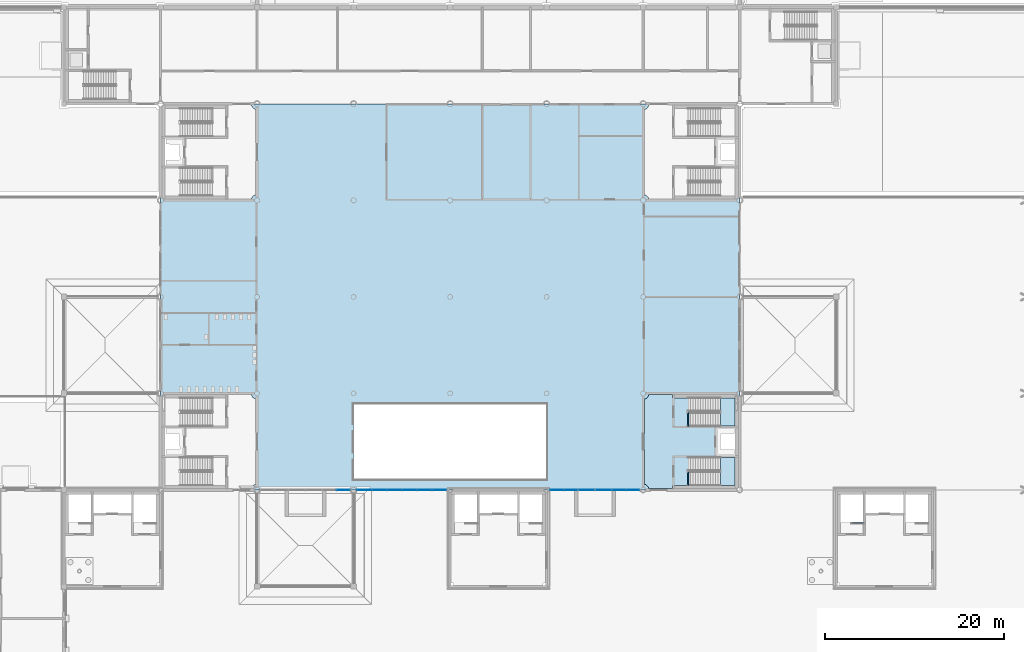
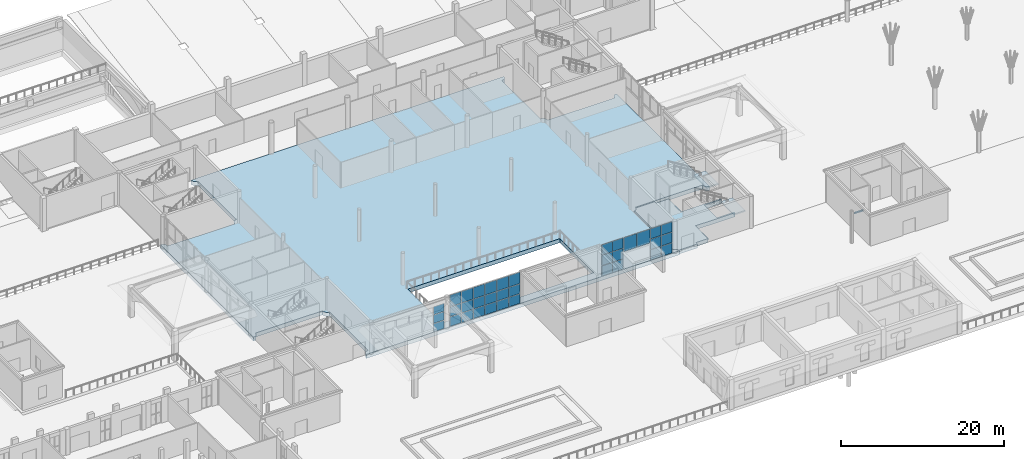
# One storey, part 38 of 91: 35 plates, 7 slabs, 7 elements without a shape of their own.
"""IFC4 building model written with IfcOpenShell, lengths in metres."""

from ifc_helpers import new_model, si_unit, direction, frame, origin, origin_2d, place, context, subcontext, project, spatial, polyline, rectangle, outline, extrude, material, layer, layer_set, type_object, element, aggregate, save


model = new_model("IFC4")

# Units and contexts
model_context = context("Model", 3, precision=1e-05, world=origin(), true_north=direction((0.0, 1.0)))
body_context = subcontext(model_context, "Body", "Model", "MODEL_VIEW")
ifc_project = project(units=[si_unit("LENGTHUNIT", "METRE"), si_unit("AREAUNIT", "SQUARE_METRE"), si_unit("VOLUMEUNIT", "CUBIC_METRE"), si_unit("PLANEANGLEUNIT", "RADIAN"), si_unit("MASSUNIT", "GRAM", prefix="KILO")], contexts=[model_context])

# Site, building, storey
site_placement = place(None, origin())
site = spatial("IfcSite", under=ifc_project, at=site_placement, CompositionType="ELEMENT")
building_placement = place(site_placement, origin())
building = spatial("IfcBuilding", under=site, at=building_placement, Name="Magnolia Steps Interchange", CompositionType="ELEMENT")
storey_placement = place(building_placement, origin())
storey = spatial("IfcBuildingStorey", under=building, at=storey_placement, Name="L00", CompositionType="ELEMENT", Elevation=0.0)

# Slabs
ifc_material_1 = material(Name="Concrete C35", Category="concrete")
ifc_layer_1 = layer(ifc_material_1, 0.199951171875)
ifc_layer_set_1 = layer_set([ifc_layer_1], Name="Core floor nib 200")
slab_type_1 = type_object("IfcSlabType", Name="Core floor nib 200", PredefinedType="FLOOR", material=ifc_layer_set_1)
slab_1_placement = place(storey_placement, frame((0.0, 0.0, -0.199951171875)))
element("IfcSlab", 1, at=slab_1_placement, inside=storey, type_object=slab_type_1, Name="L00 core floor nib HC4", PredefinedType="FLOOR", context=body_context, shape_type="SweptSolid", body=[
    extrude(outline(polyline([(112.179931640625, 51.050048828125), (112.300048828125, 51.050048828125), (112.300048828125, 49.550048828125), (112.179931640625, 49.550048828125), (112.179931640625, 51.050048828125)])), origin(), (0.0, 0.0, 1.0), 0.199951171875),
])
slab_2_placement = place(storey_placement, frame((0.0, 0.0, -0.199951171875)))
element("IfcSlab", 2, at=slab_2_placement, inside=storey, type_object=slab_type_1, Name="L00 core floor nib HC4", PredefinedType="FLOOR", context=body_context, shape_type="SweptSolid", body=[
    extrude(outline(polyline([(112.179931640625, 44.39990234375), (112.300048828125, 44.39990234375), (112.300048828125, 42.89990234375), (112.179931640625, 42.89990234375), (112.179931640625, 44.39990234375)])), origin(), (0.0, 0.0, 1.0), 0.199951171875),
])
slab_3_placement = place(storey_placement, frame((0.0, 0.0, -0.199951171875)))
element("IfcSlab", 3, at=slab_3_placement, inside=storey, type_object=slab_type_1, Name="L00 core floor nib BC3", PredefinedType="FLOOR", context=body_context, shape_type="SweptSolid", body=[
    extrude(outline(polyline([(130.64990234375, 38.679931640625), (130.64990234375, 38.800048828125), (131.85009765625, 38.800048828125), (131.85009765625, 38.679931640625), (130.64990234375, 38.679931640625)])), origin(), (0.0, 0.0, 1.0), 0.199951171875),
])
ifc_material_2 = material(Name="Concrete C35", Category="concrete")
ifc_layer_2 = layer(ifc_material_2, 0.60009765625)
ifc_layer_set_2 = layer_set([ifc_layer_2], Name="Core floor slab 600")
slab_type_2 = type_object("IfcSlabType", Name="Core floor slab 600", PredefinedType="FLOOR", material=ifc_layer_set_2)
slab_4_placement = place(storey_placement, frame((0.0, 0.0, -0.60009765625)))
element("IfcSlab", 4, at=slab_4_placement, inside=storey, type_object=slab_type_2, Name="L00 core floor HC4", PredefinedType="FLOOR", context=body_context, shape_type="SweptSolid", body=[
    extrude(outline(polyline([(107.388671875, 52.577880859375), (107.44873046875, 52.599609375), (107.50634765625, 52.626708984375), (107.56103515625, 52.659423828125), (107.6123046875, 52.697509765625), (107.65966796875, 52.740478515625), (107.702392578125, 52.78759765625), (107.740478515625, 52.8388671875), (107.773193359375, 52.8935546875), (107.800537109375, 52.951416015625), (107.822021484375, 53.01123046875), (107.831787109375, 53.050048828125), (110.5, 53.050048828125), (110.5, 52.699951171875), (112.25, 52.699951171875), (112.25, 51.050048828125), (112.179931640625, 51.050048828125), (112.179931640625, 49.550048828125), (117.85009765625, 49.550048828125), (117.85009765625, 49.35009765625), (115.39990234375, 49.35009765625), (115.39990234375, 46.25), (117.85009765625, 46.25), (117.85009765625, 46.050048828125), (112.25, 46.050048828125), (112.25, 44.39990234375), (112.179931640625, 44.39990234375), (112.179931640625, 42.89990234375), (110.5, 42.89990234375), (110.5, 42.550048828125), (107.831787109375, 42.550048828125), (107.822021484375, 42.588623046875), (107.800537109375, 42.648681640625), (107.773193359375, 42.706298828125), (107.740478515625, 42.760986328125), (107.702392578125, 42.8125), (107.65966796875, 42.859619140625), (107.6123046875, 42.902587890625), (107.56103515625, 42.9404296875), (107.50634765625, 42.97314453125), (107.44873046875, 43.00048828125), (107.388671875, 43.02197265625), (107.35009765625, 43.03173828125), (107.35009765625, 52.568359375), (107.388671875, 52.577880859375)])), origin(), (0.0, 0.0, 1.0), 0.60009765625),
])

# Stair, slab
ifc_material_3 = material(Name="Concrete C40", Category="concrete")
stair_type = type_object("IfcStairType", Name="Exit stair 1500", PredefinedType="HALF_TURN_STAIR", material=ifc_material_3)
stair_1_placement = place(storey_placement, origin())
stair_1 = element("IfcStair", 5, at=stair_1_placement, inside=storey, type_object=stair_type, Name="L00 Stair 7", PredefinedType="HALF_TURN_STAIR")
ifc_material_4 = material(Name="Concrete C40", Category="concrete")
ifc_layer_3 = layer(ifc_material_4, 0.199951171875)
ifc_layer_set_3 = layer_set([ifc_layer_3], Name="Exit stair landing 200")
slab_type_3 = type_object("IfcSlabType", Name="Exit stair landing 200", PredefinedType="LANDING", material=ifc_layer_set_3)
slab_5_placement = place(storey_placement, frame((0.0, 0.0, 2.199951171875)))
slab_5 = element("IfcSlab", 6, at=slab_5_placement, type_object=slab_type_3, Name="Stair 7 landing 1", PredefinedType="LANDING", context=body_context, shape_type="SweptSolid", body=[
    extrude(outline(polyline([(115.840087890625, 49.550048828125), (117.5, 49.550048828125), (117.5, 52.699951171875), (115.840087890625, 52.699951171875), (115.840087890625, 49.550048828125)])), origin(), (0.0, 0.0, 1.0), 0.199951171875),
])
aggregate(stair_1, [slab_5])

stair_2_placement = place(storey_placement, origin())
stair_2 = element("IfcStair", 7, at=stair_2_placement, inside=storey, type_object=stair_type, Name="L00 Stair 8", PredefinedType="HALF_TURN_STAIR")
slab_6_placement = place(storey_placement, frame((0.0, 0.0, 2.199951171875)))
slab_6 = element("IfcSlab", 8, at=slab_6_placement, type_object=slab_type_3, Name="Stair 8 landing 1", PredefinedType="LANDING", context=body_context, shape_type="SweptSolid", body=[
    extrude(outline(polyline([(115.840087890625, 42.89990234375), (117.5, 42.89990234375), (117.5, 46.050048828125), (115.840087890625, 46.050048828125), (115.840087890625, 42.89990234375)])), origin(), (0.0, 0.0, 1.0), 0.199951171875),
])
aggregate(stair_2, [slab_6])

# Slab
ifc_material_5 = material(Name="Concrete C40", Category="concrete")
ifc_layer_4 = layer(ifc_material_5, 0.60009765625)
ifc_layer_set_4 = layer_set([ifc_layer_4], Name="Floor slab 600")
slab_type_4 = type_object("IfcSlabType", Name="Floor slab 600", PredefinedType="FLOOR", material=ifc_layer_set_4)
slab_7_placement = place(storey_placement, frame((0.0, 0.0, -0.60009765625)))
element("IfcSlab", 9, at=slab_7_placement, inside=storey, type_object=slab_type_4, Name="Concourse hall floor", PredefinedType="FLOOR", context=body_context, shape_type="SweptSolid", body=[
    extrude(outline(polyline([(118.0, 75.449951171875), (117.936279296875, 75.447021484375), (117.873291015625, 75.4375), (117.811279296875, 75.422119140625), (117.751220703125, 75.400390625), (117.693603515625, 75.373291015625), (117.638916015625, 75.340576171875), (117.587646484375, 75.302490234375), (117.540283203125, 75.259521484375), (117.49755859375, 75.21240234375), (117.45947265625, 75.1611328125), (117.4267578125, 75.1064453125), (117.3994140625, 75.048583984375), (117.3779296875, 74.98876953125), (117.362548828125, 74.9267578125), (117.35302734375, 74.86376953125), (117.35009765625, 74.800048828125), (107.85009765625, 74.800048828125), (107.846923828125, 74.86376953125), (107.83740234375, 74.9267578125), (107.822021484375, 74.98876953125), (107.800537109375, 75.048583984375), (107.773193359375, 75.1064453125), (107.740478515625, 75.1611328125), (107.702392578125, 75.21240234375), (107.65966796875, 75.259521484375), (107.6123046875, 75.302490234375), (107.56103515625, 75.340576171875), (107.50634765625, 75.373291015625), (107.44873046875, 75.400390625), (107.388671875, 75.422119140625), (107.326904296875, 75.4375), (107.263671875, 75.447021484375), (107.199951171875, 75.449951171875), (107.199951171875, 84.949951171875), (107.263671875, 84.953125), (107.326904296875, 84.96240234375), (107.388671875, 84.97802734375), (107.44873046875, 84.99951171875), (107.50634765625, 85.02685546875), (107.56103515625, 85.0595703125), (107.6123046875, 85.097412109375), (107.65966796875, 85.140380859375), (107.702392578125, 85.1875), (107.740478515625, 85.239013671875), (107.773193359375, 85.293701171875), (107.800537109375, 85.351318359375), (107.822021484375, 85.411376953125), (107.83740234375, 85.47314453125), (107.846923828125, 85.536376953125), (107.85009765625, 85.60009765625), (63.35009765625, 85.60009765625), (63.35302734375, 85.536376953125), (63.362548828125, 85.47314453125), (63.3779296875, 85.411376953125), (63.3994140625, 85.351318359375), (63.4267578125, 85.293701171875), (63.45947265625, 85.239013671875), (63.49755859375, 85.1875), (63.540283203125, 85.140380859375), (63.587646484375, 85.097412109375), (63.638916015625, 85.0595703125), (63.693603515625, 85.02685546875), (63.751220703125, 84.99951171875), (63.811279296875, 84.97802734375), (63.873291015625, 84.96240234375), (63.936279296875, 84.953125), (64.0, 84.949951171875), (64.0, 75.449951171875), (63.936279296875, 75.447021484375), (63.873291015625, 75.4375), (63.811279296875, 75.422119140625), (63.751220703125, 75.400390625), (63.693603515625, 75.373291015625), (63.638916015625, 75.340576171875), (63.587646484375, 75.302490234375), (63.540283203125, 75.259521484375), (63.49755859375, 75.21240234375), (63.45947265625, 75.1611328125), (63.4267578125, 75.1064453125), (63.3994140625, 75.048583984375), (63.3779296875, 74.98876953125), (63.362548828125, 74.9267578125), (63.35302734375, 74.86376953125), (63.35009765625, 74.800048828125), (53.85009765625, 74.800048828125), (53.846923828125, 74.86376953125), (53.83740234375, 74.9267578125), (53.822021484375, 74.98876953125), (53.800537109375, 75.048583984375), (53.773193359375, 75.1064453125), (53.740478515625, 75.1611328125), (53.702392578125, 75.21240234375), (53.65966796875, 75.259521484375), (53.6123046875, 75.302490234375), (53.56103515625, 75.340576171875), (53.50634765625, 75.373291015625), (53.44873046875, 75.400390625), (53.388671875, 75.422119140625), (53.326904296875, 75.4375), (53.263671875, 75.447021484375), (53.199951171875, 75.449951171875), (53.199951171875, 52.550048828125), (53.263671875, 52.552978515625), (53.326904296875, 52.5625), (53.388671875, 52.577880859375), (53.44873046875, 52.599609375), (53.50634765625, 52.626708984375), (53.56103515625, 52.659423828125), (53.6123046875, 52.697509765625), (53.65966796875, 52.740478515625), (53.702392578125, 52.78759765625), (53.740478515625, 52.8388671875), (53.773193359375, 52.8935546875), (53.800537109375, 52.951416015625), (53.822021484375, 53.01123046875), (53.83740234375, 53.0732421875), (53.846923828125, 53.13623046875), (53.85009765625, 53.199951171875), (63.35009765625, 53.199951171875), (63.35302734375, 53.13623046875), (63.362548828125, 53.0732421875), (63.3779296875, 53.01123046875), (63.3994140625, 52.951416015625), (63.4267578125, 52.8935546875), (63.45947265625, 52.8388671875), (63.49755859375, 52.78759765625), (63.540283203125, 52.740478515625), (63.587646484375, 52.697509765625), (63.638916015625, 52.659423828125), (63.693603515625, 52.626708984375), (63.751220703125, 52.599609375), (63.811279296875, 52.577880859375), (63.873291015625, 52.5625), (63.936279296875, 52.552978515625), (64.0, 52.550048828125), (64.0, 43.050048828125), (63.936279296875, 43.046875), (63.873291015625, 43.03759765625), (63.811279296875, 43.02197265625), (63.751220703125, 43.00048828125), (63.693603515625, 42.97314453125), (63.638916015625, 42.9404296875), (63.587646484375, 42.902587890625), (63.540283203125, 42.859619140625), (63.49755859375, 42.8125), (63.45947265625, 42.760986328125), (63.4267578125, 42.706298828125), (63.3994140625, 42.648681640625), (63.3779296875, 42.588623046875), (63.362548828125, 42.52685546875), (63.35302734375, 42.463623046875), (63.35009765625, 42.39990234375), (107.85009765625, 42.39990234375), (107.846923828125, 42.463623046875), (107.83740234375, 42.52685546875), (107.822021484375, 42.588623046875), (107.800537109375, 42.648681640625), (107.773193359375, 42.706298828125), (107.740478515625, 42.760986328125), (107.702392578125, 42.8125), (107.65966796875, 42.859619140625), (107.6123046875, 42.902587890625), (107.56103515625, 42.9404296875), (107.50634765625, 42.97314453125), (107.44873046875, 43.00048828125), (107.388671875, 43.02197265625), (107.326904296875, 43.03759765625), (107.263671875, 43.046875), (107.199951171875, 43.050048828125), (107.199951171875, 52.550048828125), (107.263671875, 52.552978515625), (107.326904296875, 52.5625), (107.388671875, 52.577880859375), (107.44873046875, 52.599609375), (107.50634765625, 52.626708984375), (107.56103515625, 52.659423828125), (107.6123046875, 52.697509765625), (107.65966796875, 52.740478515625), (107.702392578125, 52.78759765625), (107.740478515625, 52.8388671875), (107.773193359375, 52.8935546875), (107.800537109375, 52.951416015625), (107.822021484375, 53.01123046875), (107.83740234375, 53.0732421875), (107.846923828125, 53.13623046875), (107.85009765625, 53.199951171875), (117.35009765625, 53.199951171875), (117.35302734375, 53.13623046875), (117.362548828125, 53.0732421875), (117.3779296875, 53.01123046875), (117.3994140625, 52.951416015625), (117.4267578125, 52.8935546875), (117.45947265625, 52.8388671875), (117.49755859375, 52.78759765625), (117.540283203125, 52.740478515625), (117.587646484375, 52.697509765625), (117.638916015625, 52.659423828125), (117.693603515625, 52.626708984375), (117.751220703125, 52.599609375), (117.811279296875, 52.577880859375), (117.873291015625, 52.5625), (117.936279296875, 52.552978515625), (118.0, 52.550048828125), (118.0, 75.449951171875)]), holes=[polyline([(74.800048828125, 52.0), (74.800048828125, 43.60009765625), (96.39990234375, 43.60009765625), (96.39990234375, 52.0), (74.800048828125, 52.0)])]), origin(), (0.0, 0.0, 1.0), 0.60009765625),
])

# Curtain wall, plates
ifc_material_6 = material(Name="Powder-coated aluminium and glass", Category="aluminium")
ifc_layer_5 = layer(ifc_material_6, 0.14990234375)
ifc_layer_set_5 = layer_set([ifc_layer_5], Name="Glazed hall curtain wall")
curtain_wall_type = type_object("IfcCurtainWallType", Name="Glazed hall curtain wall", PredefinedType="NOTDEFINED", material=ifc_layer_set_5)
curtain_wall_1_placement = place(storey_placement, origin())
curtain_wall_1 = element("IfcCurtainWall", 10, at=curtain_wall_1_placement, inside=storey, type_object=curtain_wall_type, Name="Hall glazing S2z L00", PredefinedType="NOTDEFINED")
ifc_material_7 = material(Name="Laminated glass", Category="glass")
ifc_layer_6 = layer(ifc_material_7, 0.028076171875)
ifc_layer_set_6 = layer_set([ifc_layer_6], Name="Glass panel 28")
plate_type = type_object("IfcPlateType", Name="Glass panel 28", PredefinedType="CURTAIN_PANEL", material=ifc_layer_set_6)
plate_1_placement = place(storey_placement, frame((73.639892578125, 42.39990234375, 0.06005859375), z_axis=(0.0, 0.0, 1.0), x_axis=(1.0, 0.0, 0.0)))
plate_1 = element("IfcPlate", 11, at=plate_1_placement, type_object=plate_type, Name="CW1 panel 2.1", PredefinedType="CURTAIN_PANEL", context=body_context, shape_type="SweptSolid", body=[
    extrude(rectangle(XDim=1.47998046875, YDim=0.028076171875, at=origin_2d()), origin(), (0.0, 0.0, 1.0), 1.2099609375),
])
plate_2_placement = place(storey_placement, frame((73.639892578125, 42.39990234375, 1.330078125), z_axis=(0.0, 0.0, 1.0), x_axis=(1.0, 0.0, 0.0)))
plate_2 = element("IfcPlate", 12, at=plate_2_placement, type_object=plate_type, Name="CW1 panel 2.2", PredefinedType="CURTAIN_PANEL", context=body_context, shape_type="SweptSolid", body=[
    extrude(rectangle(XDim=1.47998046875, YDim=0.028076171875, at=origin_2d()), origin(), (0.0, 0.0, 1.0), 1.239990234375),
])
plate_3_placement = place(storey_placement, frame((73.639892578125, 42.39990234375, 2.630126953125), z_axis=(0.0, 0.0, 1.0), x_axis=(1.0, 0.0, 0.0)))
plate_3 = element("IfcPlate", 13, at=plate_3_placement, type_object=plate_type, Name="CW1 panel 2.3", PredefinedType="CURTAIN_PANEL", context=body_context, shape_type="SweptSolid", body=[
    extrude(rectangle(XDim=1.47998046875, YDim=0.028076171875, at=origin_2d()), origin(), (0.0, 0.0, 1.0), 1.2099609375),
])
aggregate(curtain_wall_1, [plate_1, plate_2, plate_3])

curtain_wall_2_placement = place(storey_placement, origin())
curtain_wall_2 = element("IfcCurtainWall", 14, at=curtain_wall_2_placement, inside=storey, type_object=curtain_wall_type, Name="Hall glazing S3 L00", PredefinedType="NOTDEFINED")
plate_4_placement = place(storey_placement, frame((76.014892578125, 42.39990234375, 0.06005859375), z_axis=(0.0, 0.0, 1.0), x_axis=(1.0, 0.0, 0.0)))
plate_4 = element("IfcPlate", 15, at=plate_4_placement, type_object=plate_type, Name="CW1 panel 1.1", PredefinedType="CURTAIN_PANEL", context=body_context, shape_type="SweptSolid", body=[
    extrude(rectangle(XDim=1.590087890625, YDim=0.028076171875, at=origin_2d()), origin(), (0.0, 0.0, 1.0), 1.409912109375),
])
plate_5_placement = place(storey_placement, frame((76.014892578125, 42.39990234375, 1.530029296875), z_axis=(0.0, 0.0, 1.0), x_axis=(1.0, 0.0, 0.0)))
plate_5 = element("IfcPlate", 16, at=plate_5_placement, type_object=plate_type, Name="CW1 panel 1.2", PredefinedType="CURTAIN_PANEL", context=body_context, shape_type="SweptSolid", body=[
    extrude(rectangle(XDim=1.590087890625, YDim=0.028076171875, at=origin_2d()), origin(), (0.0, 0.0, 1.0), 1.43994140625),
])
plate_6_placement = place(storey_placement, frame((76.014892578125, 42.39990234375, 3.030029296875), z_axis=(0.0, 0.0, 1.0), x_axis=(1.0, 0.0, 0.0)))
plate_6 = element("IfcPlate", 17, at=plate_6_placement, type_object=plate_type, Name="CW1 panel 1.3", PredefinedType="CURTAIN_PANEL", context=body_context, shape_type="SweptSolid", body=[
    extrude(rectangle(XDim=1.590087890625, YDim=0.028076171875, at=origin_2d()), origin(), (0.0, 0.0, 1.0), 1.7099609375),
])
plate_7_placement = place(storey_placement, frame((77.679931640625, 42.39990234375, 0.06005859375), z_axis=(0.0, 0.0, 1.0), x_axis=(1.0, 0.0, 0.0)))
plate_7 = element("IfcPlate", 18, at=plate_7_placement, type_object=plate_type, Name="CW1 panel 2.1", PredefinedType="CURTAIN_PANEL", context=body_context, shape_type="SweptSolid", body=[
    extrude(rectangle(XDim=1.6201171875, YDim=0.028076171875, at=origin_2d()), origin(), (0.0, 0.0, 1.0), 1.409912109375),
])
plate_8_placement = place(storey_placement, frame((77.679931640625, 42.39990234375, 1.530029296875), z_axis=(0.0, 0.0, 1.0), x_axis=(1.0, 0.0, 0.0)))
plate_8 = element("IfcPlate", 19, at=plate_8_placement, type_object=plate_type, Name="CW1 panel 2.2", PredefinedType="CURTAIN_PANEL", context=body_context, shape_type="SweptSolid", body=[
    extrude(rectangle(XDim=1.6201171875, YDim=0.028076171875, at=origin_2d()), origin(), (0.0, 0.0, 1.0), 1.43994140625),
])
plate_9_placement = place(storey_placement, frame((77.679931640625, 42.39990234375, 3.030029296875), z_axis=(0.0, 0.0, 1.0), x_axis=(1.0, 0.0, 0.0)))
plate_9 = element("IfcPlate", 20, at=plate_9_placement, type_object=plate_type, Name="CW1 panel 2.3", PredefinedType="CURTAIN_PANEL", context=body_context, shape_type="SweptSolid", body=[
    extrude(rectangle(XDim=1.6201171875, YDim=0.028076171875, at=origin_2d()), origin(), (0.0, 0.0, 1.0), 1.7099609375),
])
plate_10_placement = place(storey_placement, frame((79.360107421875, 42.39990234375, 0.06005859375), z_axis=(0.0, 0.0, 1.0), x_axis=(1.0, 0.0, 0.0)))
plate_10 = element("IfcPlate", 21, at=plate_10_placement, type_object=plate_type, Name="CW1 panel 3.1", PredefinedType="CURTAIN_PANEL", context=body_context, shape_type="SweptSolid", body=[
    extrude(rectangle(XDim=1.6201171875, YDim=0.028076171875, at=origin_2d()), origin(), (0.0, 0.0, 1.0), 1.409912109375),
])
plate_11_placement = place(storey_placement, frame((79.360107421875, 42.39990234375, 1.530029296875), z_axis=(0.0, 0.0, 1.0), x_axis=(1.0, 0.0, 0.0)))
plate_11 = element("IfcPlate", 22, at=plate_11_placement, type_object=plate_type, Name="CW1 panel 3.2", PredefinedType="CURTAIN_PANEL", context=body_context, shape_type="SweptSolid", body=[
    extrude(rectangle(XDim=1.6201171875, YDim=0.028076171875, at=origin_2d()), origin(), (0.0, 0.0, 1.0), 1.43994140625),
])
plate_12_placement = place(storey_placement, frame((79.360107421875, 42.39990234375, 3.030029296875), z_axis=(0.0, 0.0, 1.0), x_axis=(1.0, 0.0, 0.0)))
plate_12 = element("IfcPlate", 23, at=plate_12_placement, type_object=plate_type, Name="CW1 panel 3.3", PredefinedType="CURTAIN_PANEL", context=body_context, shape_type="SweptSolid", body=[
    extrude(rectangle(XDim=1.6201171875, YDim=0.028076171875, at=origin_2d()), origin(), (0.0, 0.0, 1.0), 1.7099609375),
])
plate_13_placement = place(storey_placement, frame((81.0400390625, 42.39990234375, 0.06005859375), z_axis=(0.0, 0.0, 1.0), x_axis=(1.0, 0.0, 0.0)))
plate_13 = element("IfcPlate", 24, at=plate_13_placement, type_object=plate_type, Name="CW1 panel 4.1", PredefinedType="CURTAIN_PANEL", context=body_context, shape_type="SweptSolid", body=[
    extrude(rectangle(XDim=1.6201171875, YDim=0.028076171875, at=origin_2d()), origin(), (0.0, 0.0, 1.0), 1.409912109375),
])
plate_14_placement = place(storey_placement, frame((81.0400390625, 42.39990234375, 1.530029296875), z_axis=(0.0, 0.0, 1.0), x_axis=(1.0, 0.0, 0.0)))
plate_14 = element("IfcPlate", 25, at=plate_14_placement, type_object=plate_type, Name="CW1 panel 4.2", PredefinedType="CURTAIN_PANEL", context=body_context, shape_type="SweptSolid", body=[
    extrude(rectangle(XDim=1.6201171875, YDim=0.028076171875, at=origin_2d()), origin(), (0.0, 0.0, 1.0), 1.43994140625),
])
plate_15_placement = place(storey_placement, frame((81.0400390625, 42.39990234375, 3.030029296875), z_axis=(0.0, 0.0, 1.0), x_axis=(1.0, 0.0, 0.0)))
plate_15 = element("IfcPlate", 26, at=plate_15_placement, type_object=plate_type, Name="CW1 panel 4.3", PredefinedType="CURTAIN_PANEL", context=body_context, shape_type="SweptSolid", body=[
    extrude(rectangle(XDim=1.6201171875, YDim=0.028076171875, at=origin_2d()), origin(), (0.0, 0.0, 1.0), 1.7099609375),
])
plate_16_placement = place(storey_placement, frame((82.719970703125, 42.39990234375, 0.06005859375), z_axis=(0.0, 0.0, 1.0), x_axis=(1.0, 0.0, 0.0)))
plate_16 = element("IfcPlate", 27, at=plate_16_placement, type_object=plate_type, Name="CW1 panel 5.1", PredefinedType="CURTAIN_PANEL", context=body_context, shape_type="SweptSolid", body=[
    extrude(rectangle(XDim=1.6201171875, YDim=0.028076171875, at=origin_2d()), origin(), (0.0, 0.0, 1.0), 1.409912109375),
])
plate_17_placement = place(storey_placement, frame((82.719970703125, 42.39990234375, 1.530029296875), z_axis=(0.0, 0.0, 1.0), x_axis=(1.0, 0.0, 0.0)))
plate_17 = element("IfcPlate", 28, at=plate_17_placement, type_object=plate_type, Name="CW1 panel 5.2", PredefinedType="CURTAIN_PANEL", context=body_context, shape_type="SweptSolid", body=[
    extrude(rectangle(XDim=1.6201171875, YDim=0.028076171875, at=origin_2d()), origin(), (0.0, 0.0, 1.0), 1.43994140625),
])
plate_18_placement = place(storey_placement, frame((82.719970703125, 42.39990234375, 3.030029296875), z_axis=(0.0, 0.0, 1.0), x_axis=(1.0, 0.0, 0.0)))
plate_18 = element("IfcPlate", 29, at=plate_18_placement, type_object=plate_type, Name="CW1 panel 5.3", PredefinedType="CURTAIN_PANEL", context=body_context, shape_type="SweptSolid", body=[
    extrude(rectangle(XDim=1.6201171875, YDim=0.028076171875, at=origin_2d()), origin(), (0.0, 0.0, 1.0), 1.7099609375),
])
plate_19_placement = place(storey_placement, frame((84.385009765625, 42.39990234375, 0.06005859375), z_axis=(0.0, 0.0, 1.0), x_axis=(1.0, 0.0, 0.0)))
plate_19 = element("IfcPlate", 30, at=plate_19_placement, type_object=plate_type, Name="CW1 panel 6.1", PredefinedType="CURTAIN_PANEL", context=body_context, shape_type="SweptSolid", body=[
    extrude(rectangle(XDim=1.590087890625, YDim=0.028076171875, at=origin_2d()), origin(), (0.0, 0.0, 1.0), 1.409912109375),
])
plate_20_placement = place(storey_placement, frame((84.385009765625, 42.39990234375, 1.530029296875), z_axis=(0.0, 0.0, 1.0), x_axis=(1.0, 0.0, 0.0)))
plate_20 = element("IfcPlate", 31, at=plate_20_placement, type_object=plate_type, Name="CW1 panel 6.2", PredefinedType="CURTAIN_PANEL", context=body_context, shape_type="SweptSolid", body=[
    extrude(rectangle(XDim=1.590087890625, YDim=0.028076171875, at=origin_2d()), origin(), (0.0, 0.0, 1.0), 1.43994140625),
])
plate_21_placement = place(storey_placement, frame((84.385009765625, 42.39990234375, 3.030029296875), z_axis=(0.0, 0.0, 1.0), x_axis=(1.0, 0.0, 0.0)))
plate_21 = element("IfcPlate", 32, at=plate_21_placement, type_object=plate_type, Name="CW1 panel 6.3", PredefinedType="CURTAIN_PANEL", context=body_context, shape_type="SweptSolid", body=[
    extrude(rectangle(XDim=1.590087890625, YDim=0.028076171875, at=origin_2d()), origin(), (0.0, 0.0, 1.0), 1.7099609375),
])
aggregate(curtain_wall_2, [plate_4, plate_5, plate_6, plate_7, plate_8, plate_9, plate_10, plate_11, plate_12, plate_13, plate_14, plate_15, plate_16, plate_17, plate_18, plate_19, plate_20, plate_21])

curtain_wall_3_placement = place(storey_placement, origin())
curtain_wall_3 = element("IfcCurtainWall", 33, at=curtain_wall_3_placement, inside=storey, type_object=curtain_wall_type, Name="Hall glazing S5a L00", PredefinedType="NOTDEFINED")
plate_22_placement = place(storey_placement, frame((97.56005859375, 42.39990234375, 0.06005859375), z_axis=(0.0, 0.0, 1.0), x_axis=(1.0, 0.0, 0.0)))
plate_22 = element("IfcPlate", 34, at=plate_22_placement, type_object=plate_type, Name="CW1 panel 1.1", PredefinedType="CURTAIN_PANEL", context=body_context, shape_type="SweptSolid", body=[
    extrude(rectangle(XDim=1.47998046875, YDim=0.028076171875, at=origin_2d()), origin(), (0.0, 0.0, 1.0), 1.510009765625),
])
plate_23_placement = place(storey_placement, frame((97.56005859375, 42.39990234375, 1.6298828125), z_axis=(0.0, 0.0, 1.0), x_axis=(1.0, 0.0, 0.0)))
plate_23 = element("IfcPlate", 35, at=plate_23_placement, type_object=plate_type, Name="CW1 panel 1.2", PredefinedType="CURTAIN_PANEL", context=body_context, shape_type="SweptSolid", body=[
    extrude(rectangle(XDim=1.47998046875, YDim=0.028076171875, at=origin_2d()), origin(), (0.0, 0.0, 1.0), 1.5400390625),
])
plate_24_placement = place(storey_placement, frame((97.56005859375, 42.39990234375, 3.22998046875), z_axis=(0.0, 0.0, 1.0), x_axis=(1.0, 0.0, 0.0)))
plate_24 = element("IfcPlate", 36, at=plate_24_placement, type_object=plate_type, Name="CW1 panel 1.3", PredefinedType="CURTAIN_PANEL", context=body_context, shape_type="SweptSolid", body=[
    extrude(rectangle(XDim=1.47998046875, YDim=0.028076171875, at=origin_2d()), origin(), (0.0, 0.0, 1.0), 1.510009765625),
])
plate_25_placement = place(storey_placement, frame((99.10009765625, 42.39990234375, 0.06005859375), z_axis=(0.0, 0.0, 1.0), x_axis=(1.0, 0.0, 0.0)))
plate_25 = element("IfcPlate", 37, at=plate_25_placement, type_object=plate_type, Name="CW1 panel 2.1", PredefinedType="CURTAIN_PANEL", context=body_context, shape_type="SweptSolid", body=[
    extrude(rectangle(XDim=1.47998046875, YDim=0.028076171875, at=origin_2d()), origin(), (0.0, 0.0, 1.0), 1.510009765625),
])
plate_26_placement = place(storey_placement, frame((99.10009765625, 42.39990234375, 1.6298828125), z_axis=(0.0, 0.0, 1.0), x_axis=(1.0, 0.0, 0.0)))
plate_26 = element("IfcPlate", 38, at=plate_26_placement, type_object=plate_type, Name="CW1 panel 2.2", PredefinedType="CURTAIN_PANEL", context=body_context, shape_type="SweptSolid", body=[
    extrude(rectangle(XDim=1.47998046875, YDim=0.028076171875, at=origin_2d()), origin(), (0.0, 0.0, 1.0), 1.5400390625),
])
plate_27_placement = place(storey_placement, frame((99.10009765625, 42.39990234375, 3.22998046875), z_axis=(0.0, 0.0, 1.0), x_axis=(1.0, 0.0, 0.0)))
plate_27 = element("IfcPlate", 39, at=plate_27_placement, type_object=plate_type, Name="CW1 panel 2.3", PredefinedType="CURTAIN_PANEL", context=body_context, shape_type="SweptSolid", body=[
    extrude(rectangle(XDim=1.47998046875, YDim=0.028076171875, at=origin_2d()), origin(), (0.0, 0.0, 1.0), 1.510009765625),
])
aggregate(curtain_wall_3, [plate_22, plate_23, plate_24, plate_25, plate_26, plate_27])

curtain_wall_4_placement = place(storey_placement, origin())
curtain_wall_4 = element("IfcCurtainWall", 40, at=curtain_wall_4_placement, inside=storey, type_object=curtain_wall_type, Name="Hall entrance fanlight S5", PredefinedType="NOTDEFINED")
plate_28_placement = place(storey_placement, frame((100.864990234375, 42.39990234375, 2.659912109375), z_axis=(0.0, 0.0, 1.0), x_axis=(1.0, 0.0, 0.0)))
plate_28 = element("IfcPlate", 41, at=plate_28_placement, type_object=plate_type, Name="CW1 panel 1.1", PredefinedType="CURTAIN_PANEL", context=body_context, shape_type="SweptSolid", body=[
    extrude(rectangle(XDim=1.81005859375, YDim=0.028076171875, at=origin_2d()), origin(), (0.0, 0.0, 1.0), 2.080078125),
])
plate_29_placement = place(storey_placement, frame((102.735107421875, 42.39990234375, 2.659912109375), z_axis=(0.0, 0.0, 1.0), x_axis=(1.0, 0.0, 0.0)))
plate_29 = element("IfcPlate", 42, at=plate_29_placement, type_object=plate_type, Name="CW1 panel 2.1", PredefinedType="CURTAIN_PANEL", context=body_context, shape_type="SweptSolid", body=[
    extrude(rectangle(XDim=1.81005859375, YDim=0.028076171875, at=origin_2d()), origin(), (0.0, 0.0, 1.0), 2.080078125),
])
aggregate(curtain_wall_4, [plate_28, plate_29])

curtain_wall_5_placement = place(storey_placement, origin())
curtain_wall_5 = element("IfcCurtainWall", 43, at=curtain_wall_5_placement, inside=storey, type_object=curtain_wall_type, Name="Hall glazing S5z L00", PredefinedType="NOTDEFINED")
plate_30_placement = place(storey_placement, frame((104.5, 42.39990234375, 0.06005859375), z_axis=(0.0, 0.0, 1.0), x_axis=(1.0, 0.0, 0.0)))
plate_30 = element("IfcPlate", 44, at=plate_30_placement, type_object=plate_type, Name="CW1 panel 1.1", PredefinedType="CURTAIN_PANEL", context=body_context, shape_type="SweptSolid", body=[
    extrude(rectangle(XDim=1.47998046875, YDim=0.028076171875, at=origin_2d()), origin(), (0.0, 0.0, 1.0), 1.510009765625),
])
plate_31_placement = place(storey_placement, frame((104.5, 42.39990234375, 1.6298828125), z_axis=(0.0, 0.0, 1.0), x_axis=(1.0, 0.0, 0.0)))
plate_31 = element("IfcPlate", 45, at=plate_31_placement, type_object=plate_type, Name="CW1 panel 1.2", PredefinedType="CURTAIN_PANEL", context=body_context, shape_type="SweptSolid", body=[
    extrude(rectangle(XDim=1.47998046875, YDim=0.028076171875, at=origin_2d()), origin(), (0.0, 0.0, 1.0), 1.5400390625),
])
plate_32_placement = place(storey_placement, frame((104.5, 42.39990234375, 3.22998046875), z_axis=(0.0, 0.0, 1.0), x_axis=(1.0, 0.0, 0.0)))
plate_32 = element("IfcPlate", 46, at=plate_32_placement, type_object=plate_type, Name="CW1 panel 1.3", PredefinedType="CURTAIN_PANEL", context=body_context, shape_type="SweptSolid", body=[
    extrude(rectangle(XDim=1.47998046875, YDim=0.028076171875, at=origin_2d()), origin(), (0.0, 0.0, 1.0), 1.510009765625),
])
plate_33_placement = place(storey_placement, frame((106.0400390625, 42.39990234375, 0.06005859375), z_axis=(0.0, 0.0, 1.0), x_axis=(1.0, 0.0, 0.0)))
plate_33 = element("IfcPlate", 47, at=plate_33_placement, type_object=plate_type, Name="CW1 panel 2.1", PredefinedType="CURTAIN_PANEL", context=body_context, shape_type="SweptSolid", body=[
    extrude(rectangle(XDim=1.47998046875, YDim=0.028076171875, at=origin_2d()), origin(), (0.0, 0.0, 1.0), 1.510009765625),
])
plate_34_placement = place(storey_placement, frame((106.0400390625, 42.39990234375, 1.6298828125), z_axis=(0.0, 0.0, 1.0), x_axis=(1.0, 0.0, 0.0)))
plate_34 = element("IfcPlate", 48, at=plate_34_placement, type_object=plate_type, Name="CW1 panel 2.2", PredefinedType="CURTAIN_PANEL", context=body_context, shape_type="SweptSolid", body=[
    extrude(rectangle(XDim=1.47998046875, YDim=0.028076171875, at=origin_2d()), origin(), (0.0, 0.0, 1.0), 1.5400390625),
])
plate_35_placement = place(storey_placement, frame((106.0400390625, 42.39990234375, 3.22998046875), z_axis=(0.0, 0.0, 1.0), x_axis=(1.0, 0.0, 0.0)))
plate_35 = element("IfcPlate", 49, at=plate_35_placement, type_object=plate_type, Name="CW1 panel 2.3", PredefinedType="CURTAIN_PANEL", context=body_context, shape_type="SweptSolid", body=[
    extrude(rectangle(XDim=1.47998046875, YDim=0.028076171875, at=origin_2d()), origin(), (0.0, 0.0, 1.0), 1.510009765625),
])
aggregate(curtain_wall_5, [plate_30, plate_31, plate_32, plate_33, plate_34, plate_35])

save(model, "model.ifc")
